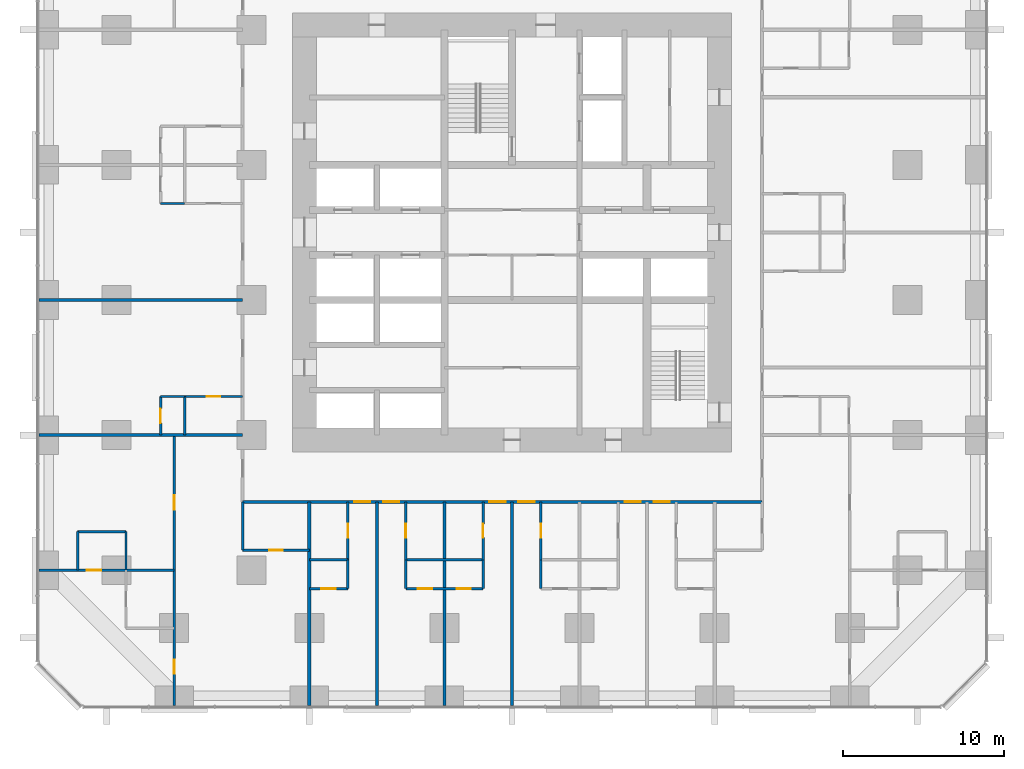
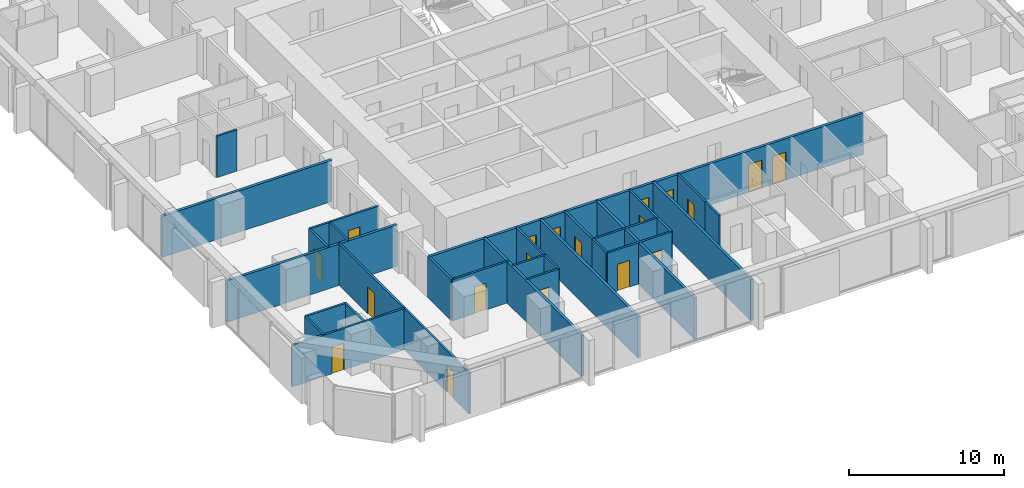
# One storey, part 11 of 17: 31 walls, 19 doors, 19 openings.
"""IFC4 building model written with IfcOpenShell, lengths in metres."""

from ifc_helpers import new_model, si_unit, direction, frame, frame_2d, origin, place, context, subcontext, project, spatial, rectangle, extrude, material, layer, layer_set, type_object, element, fill, save


model = new_model("IFC4")

# Units and contexts
model_context = context("Model", 3, precision=1e-05, world=origin(), true_north=direction((0.0, 1.0)))
body_context = subcontext(model_context, "Body", "Model", "MODEL_VIEW")
ifc_project = project(units=[si_unit("LENGTHUNIT", "METRE"), si_unit("AREAUNIT", "SQUARE_METRE"), si_unit("VOLUMEUNIT", "CUBIC_METRE"), si_unit("PLANEANGLEUNIT", "RADIAN"), si_unit("MASSUNIT", "GRAM", prefix="KILO")], contexts=[model_context])

# Site, building, storey
site_placement = place(None, origin())
site = spatial("IfcSite", under=ifc_project, at=site_placement, CompositionType="ELEMENT")
building_placement = place(site_placement, origin())
building = spatial("IfcBuilding", under=site, at=building_placement, Name="Dunama Terrace Hotel", CompositionType="ELEMENT")
storey_placement = place(building_placement, frame((0.0, 0.0, 77.39990234375)))
storey = spatial("IfcBuildingStorey", under=building, at=storey_placement, Name="L19", CompositionType="ELEMENT", Elevation=77.39990234375)

# Wall
ifc_material_1 = material(Name="Gypsum board partition", Category="masonry")
ifc_layer_1 = layer(ifc_material_1, 0.14990234375)
ifc_layer_set_1 = layer_set([ifc_layer_1], Name="Bathroom partition 150")
wall_type_1 = type_object("IfcWallType", Name="Bathroom partition 150", PredefinedType="PARTITIONING", material=ifc_layer_set_1)
wall_1_placement = place(storey_placement, frame((12.64990234375, 9.64990234375, 0.0), z_axis=(0.0, 0.0, 1.0), x_axis=(0.0, 1.0, 0.0)))
element("IfcWall", 1, at=wall_1_placement, inside=storey, type_object=wall_type_1, Name="Bathroom partition 150 L19", PredefinedType="PARTITIONING", context=body_context, shape_type="SweptSolid", body=[
    extrude(rectangle(XDim=3.0, YDim=0.14990234375, at=frame_2d((1.5, 0.0))), origin(), (0.0, 0.0, 1.0), 3.25),
])

# Wall, opening, door
wall_2_placement = place(storey_placement, frame((19.199951171875, 9.050048828125, 0.0), z_axis=(0.0, 0.0, 1.0), x_axis=(0.0, 1.0, 0.0)))
wall_2 = element("IfcWall", 2, at=wall_2_placement, inside=storey, type_object=wall_type_1, Name="Bathroom partition 150 L19", PredefinedType="PARTITIONING", context=body_context, shape_type="SweptSolid", body=[
    extrude(rectangle(XDim=3.599853515625, YDim=0.14990234375, at=frame_2d((1.7998046875, 0.0))), origin(), (0.0, 0.0, 1.0), 3.25),
])
opening_1_placement = place(wall_2_placement, frame((1.375, 0.0, 0.0)))
opening_1 = element("IfcOpeningElement", 3, at=opening_1_placement, cuts=wall_2, Name="Opening L17-19-010", PredefinedType="OPENING", context=body_context, shape_type="SweptSolid", body=[
    extrude(rectangle(XDim=0.85009765625, YDim=2.10009765625, at=frame_2d((0.425048828125, 1.050048828125))), frame((0.0, 0.0849609375, 0.0), z_axis=(0.0, -1.0, 0.0), x_axis=(1.0, 0.0, 0.0)), (0.0, 0.0, 1.0), 0.169921875),
])
ifc_material_2 = material(Name="Timber door with steel frame", Category="steel")
door_type_1 = type_object("IfcDoorType", Name="Bathroom door 850", OperationType="SINGLE_SWING_LEFT", PredefinedType="DOOR", material=ifc_material_2)
door_1_placement = place(opening_1_placement, origin())
door_1 = element("IfcDoor", 4, at=door_1_placement, inside=storey, type_object=door_type_1, Name="Door to en-suite bathroom L17-19-010, type D2", OperationType="SINGLE_SWING_RIGHT", OverallHeight=2.10009765625, OverallWidth=0.85009765625, PredefinedType="DOOR", context=body_context, shape_type="SweptSolid", body=[
    extrude(rectangle(XDim=0.85009765625, YDim=2.10009765625, at=frame_2d((0.425048828125, 1.050048828125))), frame((0.0, 0.02490234375, 0.0), z_axis=(0.0, -1.0, 0.0), x_axis=(1.0, 0.0, 0.0)), (0.0, 0.0, 1.0), 0.050048828125),
])
fill(opening_1, door_1)

wall_3_placement = place(storey_placement, frame((22.800048828125, 9.050048828125, 0.0), z_axis=(0.0, 0.0, 1.0), x_axis=(0.0, 1.0, 0.0)))
wall_3 = element("IfcWall", 5, at=wall_3_placement, inside=storey, type_object=wall_type_1, Name="Bathroom partition 150 L19", PredefinedType="PARTITIONING", context=body_context, shape_type="SweptSolid", body=[
    extrude(rectangle(XDim=3.599853515625, YDim=0.14990234375, at=frame_2d((1.7998046875, 0.0))), origin(), (0.0, 0.0, 1.0), 3.25),
])
opening_2_placement = place(wall_3_placement, frame((1.375, 0.0, 0.0)))
opening_2 = element("IfcOpeningElement", 6, at=opening_2_placement, cuts=wall_3, Name="Opening L17-19-013", PredefinedType="OPENING", context=body_context, shape_type="SweptSolid", body=[
    extrude(rectangle(XDim=0.85009765625, YDim=2.10009765625, at=frame_2d((0.425048828125, 1.050048828125))), frame((0.0, 0.0849609375, 0.0), z_axis=(0.0, -1.0, 0.0), x_axis=(1.0, 0.0, 0.0)), (0.0, 0.0, 1.0), 0.169921875),
])
door_2_placement = place(opening_2_placement, frame((0.85009765625, 0.0, 0.0), z_axis=(0.0, 0.0, 1.0), x_axis=(-1.0, 0.0, 0.0)))
door_2 = element("IfcDoor", 7, at=door_2_placement, inside=storey, type_object=door_type_1, Name="Door to en-suite bathroom L17-19-013, type D2", OperationType="SINGLE_SWING_LEFT", OverallHeight=2.10009765625, OverallWidth=0.85009765625, PredefinedType="DOOR", context=body_context, shape_type="SweptSolid", body=[
    extrude(rectangle(XDim=0.85009765625, YDim=2.10009765625, at=frame_2d((0.425048828125, 1.050048828125))), frame((0.0, 0.025146484375, 0.0), z_axis=(0.0, -1.0, 0.0), x_axis=(1.0, 0.0, 0.0)), (0.0, 0.0, 1.0), 0.050048828125),
])
fill(opening_2, door_2)

wall_4_placement = place(storey_placement, frame((27.60009765625, 9.050048828125, 0.0), z_axis=(0.0, 0.0, 1.0), x_axis=(0.0, 1.0, 0.0)))
wall_4 = element("IfcWall", 8, at=wall_4_placement, inside=storey, type_object=wall_type_1, Name="Bathroom partition 150 L19", PredefinedType="PARTITIONING", context=body_context, shape_type="SweptSolid", body=[
    extrude(rectangle(XDim=3.599853515625, YDim=0.14990234375, at=frame_2d((1.7998046875, 0.0))), origin(), (0.0, 0.0, 1.0), 3.25),
])
opening_3_placement = place(wall_4_placement, frame((1.375, 0.0, 0.0)))
opening_3 = element("IfcOpeningElement", 9, at=opening_3_placement, cuts=wall_4, Name="Opening L17-19-016", PredefinedType="OPENING", context=body_context, shape_type="SweptSolid", body=[
    extrude(rectangle(XDim=0.85009765625, YDim=2.10009765625, at=frame_2d((0.425048828125, 1.050048828125))), frame((0.0, 0.0849609375, 0.0), z_axis=(0.0, -1.0, 0.0), x_axis=(1.0, 0.0, 0.0)), (0.0, 0.0, 1.0), 0.169921875),
])
door_3_placement = place(opening_3_placement, origin())
door_3 = element("IfcDoor", 10, at=door_3_placement, inside=storey, type_object=door_type_1, Name="Door to en-suite bathroom L17-19-016, type D2", OperationType="SINGLE_SWING_RIGHT", OverallHeight=2.10009765625, OverallWidth=0.85009765625, PredefinedType="DOOR", context=body_context, shape_type="SweptSolid", body=[
    extrude(rectangle(XDim=0.85009765625, YDim=2.10009765625, at=frame_2d((0.425048828125, 1.050048828125))), frame((0.0, 0.02490234375, 0.0), z_axis=(0.0, -1.0, 0.0), x_axis=(1.0, 0.0, 0.0)), (0.0, 0.0, 1.0), 0.050048828125),
])
fill(opening_3, door_3)

wall_5_placement = place(storey_placement, frame((31.199951171875, 9.050048828125, 0.0), z_axis=(0.0, 0.0, 1.0), x_axis=(0.0, 1.0, 0.0)))
wall_5 = element("IfcWall", 11, at=wall_5_placement, inside=storey, type_object=wall_type_1, Name="Bathroom partition 150 L19", PredefinedType="PARTITIONING", context=body_context, shape_type="SweptSolid", body=[
    extrude(rectangle(XDim=3.599853515625, YDim=0.14990234375, at=frame_2d((1.7998046875, 0.0))), origin(), (0.0, 0.0, 1.0), 3.25),
])
opening_4_placement = place(wall_5_placement, frame((1.375, 0.0, 0.0)))
opening_4 = element("IfcOpeningElement", 12, at=opening_4_placement, cuts=wall_5, Name="Opening L17-19-019", PredefinedType="OPENING", context=body_context, shape_type="SweptSolid", body=[
    extrude(rectangle(XDim=0.85009765625, YDim=2.10009765625, at=frame_2d((0.425048828125, 1.050048828125))), frame((0.0, 0.0849609375, 0.0), z_axis=(0.0, -1.0, 0.0), x_axis=(1.0, 0.0, 0.0)), (0.0, 0.0, 1.0), 0.169921875),
])
door_4_placement = place(opening_4_placement, frame((0.85009765625, 0.0, 0.0), z_axis=(0.0, 0.0, 1.0), x_axis=(-1.0, 0.0, 0.0)))
door_4 = element("IfcDoor", 13, at=door_4_placement, inside=storey, type_object=door_type_1, Name="Door to en-suite bathroom L17-19-019, type D2", OperationType="SINGLE_SWING_LEFT", OverallHeight=2.10009765625, OverallWidth=0.85009765625, PredefinedType="DOOR", context=body_context, shape_type="SweptSolid", body=[
    extrude(rectangle(XDim=0.85009765625, YDim=2.10009765625, at=frame_2d((0.425048828125, 1.050048828125))), frame((0.0, 0.025146484375, 0.0), z_axis=(0.0, -1.0, 0.0), x_axis=(1.0, 0.0, 0.0)), (0.0, 0.0, 1.0), 0.050048828125),
])
fill(opening_4, door_4)

wall_6_placement = place(storey_placement, frame((12.64990234375, 9.64990234375, 0.0), z_axis=(0.0, 0.0, 1.0), x_axis=(1.0, 0.0, 0.0)))
wall_6 = element("IfcWall", 14, at=wall_6_placement, inside=storey, type_object=wall_type_1, Name="Bathroom partition 150 L19", PredefinedType="PARTITIONING", context=body_context, shape_type="SweptSolid", body=[
    extrude(rectangle(XDim=4.150146484375, YDim=0.14990234375, at=frame_2d((2.0751953125, 0.0))), origin(), (0.0, 0.0, 1.0), 3.25),
])
opening_5_placement = place(wall_6_placement, frame((1.64990234375, 0.0, 0.0)))
opening_5 = element("IfcOpeningElement", 15, at=opening_5_placement, cuts=wall_6, Name="Opening L17-19-061", PredefinedType="OPENING", context=body_context, shape_type="SweptSolid", body=[
    extrude(rectangle(XDim=0.85009765625, YDim=2.10009765625, at=frame_2d((0.425048828125, 1.050048828125))), frame((0.0, 0.0849609375, 0.0), z_axis=(0.0, -1.0, 0.0), x_axis=(1.0, 0.0, 0.0)), (0.0, 0.0, 1.0), 0.169921875),
])
door_5_placement = place(opening_5_placement, origin())
door_5 = element("IfcDoor", 16, at=door_5_placement, inside=storey, type_object=door_type_1, Name="Door to powder room L17-19-061, type D2", OperationType="SINGLE_SWING_LEFT", OverallHeight=2.10009765625, OverallWidth=0.85009765625, PredefinedType="DOOR", context=body_context, shape_type="SweptSolid", body=[
    extrude(rectangle(XDim=0.85009765625, YDim=2.10009765625, at=frame_2d((0.425048828125, 1.050048828125))), frame((0.0, 0.02490234375, 0.0), z_axis=(0.0, -1.0, 0.0), x_axis=(1.0, 0.0, 0.0)), (0.0, 0.0, 1.0), 0.050048828125),
])
fill(opening_5, door_5)

wall_7_placement = place(storey_placement, frame((9.050048828125, 19.199951171875, 0.0), z_axis=(0.0, 0.0, 1.0), x_axis=(1.0, 0.0, 0.0)))
wall_7 = element("IfcWall", 17, at=wall_7_placement, inside=storey, type_object=wall_type_1, Name="Bathroom partition 150 L19", PredefinedType="PARTITIONING", context=body_context, shape_type="SweptSolid", body=[
    extrude(rectangle(XDim=3.599853515625, YDim=0.14990234375, at=frame_2d((1.7998046875, 0.0))), origin(), (0.0, 0.0, 1.0), 3.25),
])
opening_6_placement = place(wall_7_placement, frame((1.375, 0.0, 0.0)))
opening_6 = element("IfcOpeningElement", 18, at=opening_6_placement, cuts=wall_7, Name="Opening L17-19-052", PredefinedType="OPENING", context=body_context, shape_type="SweptSolid", body=[
    extrude(rectangle(XDim=0.85009765625, YDim=2.10009765625, at=frame_2d((0.425048828125, 1.050048828125))), frame((0.0, 0.0849609375, 0.0), z_axis=(0.0, -1.0, 0.0), x_axis=(1.0, 0.0, 0.0)), (0.0, 0.0, 1.0), 0.169921875),
])
door_6_placement = place(opening_6_placement, frame((0.85009765625, 0.0, 0.0), z_axis=(0.0, 0.0, 1.0), x_axis=(-1.0, 0.0, 0.0)))
door_6 = element("IfcDoor", 19, at=door_6_placement, inside=storey, type_object=door_type_1, Name="Door to en-suite bathroom L17-19-052, type D2", OperationType="SINGLE_SWING_LEFT", OverallHeight=2.10009765625, OverallWidth=0.85009765625, PredefinedType="DOOR", context=body_context, shape_type="SweptSolid", body=[
    extrude(rectangle(XDim=0.85009765625, YDim=2.10009765625, at=frame_2d((0.425048828125, 1.050048828125))), frame((0.0, 0.025146484375, 0.0), z_axis=(0.0, -1.0, 0.0), x_axis=(1.0, 0.0, 0.0)), (0.0, 0.0, 1.0), 0.050048828125),
])
fill(opening_6, door_6)

# Wall, openings, doors
ifc_material_3 = material(Name="Concrete blockwork", Category="masonry")
ifc_layer_2 = layer(ifc_material_3, 0.199951171875)
ifc_layer_set_2 = layer_set([ifc_layer_2], Name="Corridor partition 200")
wall_type_2 = type_object("IfcWallType", Name="Corridor partition 200", PredefinedType="PARTITIONING", material=ifc_layer_set_2)
wall_8_placement = place(storey_placement, frame((44.949951171875, 12.64990234375, 0.0), z_axis=(0.0, 0.0, 1.0), x_axis=(-1.0, 0.0, 0.0)))
wall_8 = element("IfcWall", 20, at=wall_8_placement, inside=storey, type_object=wall_type_2, Name="Corridor partition 200 L19", PredefinedType="PARTITIONING", context=body_context, shape_type="SweptSolid", body=[
    extrude(rectangle(XDim=32.300048828125, YDim=0.199951171875, at=frame_2d((16.14990234375, 0.0))), origin(), (0.0, 0.0, 1.0), 3.25),
])
opening_7_placement = place(wall_8_placement, frame((24.35009765625, 0.0, 0.0)))
opening_7 = element("IfcOpeningElement", 21, at=opening_7_placement, cuts=wall_8, Name="Opening L17-19-009", PredefinedType="OPENING", context=body_context, shape_type="SweptSolid", body=[
    extrude(rectangle(XDim=1.0, YDim=2.199951171875, at=frame_2d((0.5, 1.10009765625))), frame((0.0, 0.10986328125, 0.0), z_axis=(0.0, -1.0, 0.0), x_axis=(1.0, 0.0, 0.0)), (0.0, 0.0, 1.0), 0.219970703125),
])
opening_8_placement = place(wall_8_placement, frame((22.550048828125, 0.0, 0.0)))
opening_8 = element("IfcOpeningElement", 22, at=opening_8_placement, cuts=wall_8, Name="Opening L17-19-012", PredefinedType="OPENING", context=body_context, shape_type="SweptSolid", body=[
    extrude(rectangle(XDim=1.0, YDim=2.199951171875, at=frame_2d((0.5, 1.10009765625))), frame((0.0, 0.10986328125, 0.0), z_axis=(0.0, -1.0, 0.0), x_axis=(1.0, 0.0, 0.0)), (0.0, 0.0, 1.0), 0.219970703125),
])
opening_9_placement = place(wall_8_placement, frame((15.949951171875, 0.0, 0.0)))
opening_9 = element("IfcOpeningElement", 23, at=opening_9_placement, cuts=wall_8, Name="Opening L17-19-015", PredefinedType="OPENING", context=body_context, shape_type="SweptSolid", body=[
    extrude(rectangle(XDim=1.0, YDim=2.199951171875, at=frame_2d((0.5, 1.10009765625))), frame((0.0, 0.10986328125, 0.0), z_axis=(0.0, -1.0, 0.0), x_axis=(1.0, 0.0, 0.0)), (0.0, 0.0, 1.0), 0.219970703125),
])
opening_10_placement = place(wall_8_placement, frame((14.14990234375, 0.0, 0.0)))
opening_10 = element("IfcOpeningElement", 24, at=opening_10_placement, cuts=wall_8, Name="Opening L17-19-018", PredefinedType="OPENING", context=body_context, shape_type="SweptSolid", body=[
    extrude(rectangle(XDim=1.0, YDim=2.199951171875, at=frame_2d((0.5, 1.10009765625))), frame((0.0, 0.10986328125, 0.0), z_axis=(0.0, -1.0, 0.0), x_axis=(1.0, 0.0, 0.0)), (0.0, 0.0, 1.0), 0.219970703125),
])
opening_11_placement = place(wall_8_placement, frame((7.550048828125, 0.0, 0.0)))
opening_11 = element("IfcOpeningElement", 25, at=opening_11_placement, cuts=wall_8, Name="Opening L17-19-021", PredefinedType="OPENING", context=body_context, shape_type="SweptSolid", body=[
    extrude(rectangle(XDim=1.0, YDim=2.199951171875, at=frame_2d((0.5, 1.10009765625))), frame((0.0, 0.10986328125, 0.0), z_axis=(0.0, -1.0, 0.0), x_axis=(1.0, 0.0, 0.0)), (0.0, 0.0, 1.0), 0.219970703125),
])
opening_12_placement = place(wall_8_placement, frame((5.75, 0.0, 0.0)))
opening_12 = element("IfcOpeningElement", 26, at=opening_12_placement, cuts=wall_8, Name="Opening L17-19-024", PredefinedType="OPENING", context=body_context, shape_type="SweptSolid", body=[
    extrude(rectangle(XDim=1.0, YDim=2.199951171875, at=frame_2d((0.5, 1.10009765625))), frame((0.0, 0.10986328125, 0.0), z_axis=(0.0, -1.0, 0.0), x_axis=(1.0, 0.0, 0.0)), (0.0, 0.0, 1.0), 0.219970703125),
])
ifc_material_4 = material(Name="Timber door with steel frame", Category="steel")
door_type_2 = type_object("IfcDoorType", Name="Guest room door 1000", OperationType="SINGLE_SWING_LEFT", PredefinedType="DOOR", material=ifc_material_4)
door_7_placement = place(opening_7_placement, origin())
door_7 = element("IfcDoor", 27, at=door_7_placement, inside=storey, type_object=door_type_2, Name="Door to deluxe room L17-19-009, type D1", OperationType="SINGLE_SWING_LEFT", OverallHeight=2.199951171875, OverallWidth=1.0, PredefinedType="DOOR", context=body_context, shape_type="SweptSolid", body=[
    extrude(rectangle(XDim=1.0, YDim=2.199951171875, at=frame_2d((0.5, 1.10009765625))), frame((0.0, 0.02490234375, 0.0), z_axis=(0.0, -1.0, 0.0), x_axis=(1.0, 0.0, 0.0)), (0.0, 0.0, 1.0), 0.050048828125),
])
fill(opening_7, door_7)
door_8_placement = place(opening_8_placement, origin())
door_8 = element("IfcDoor", 28, at=door_8_placement, inside=storey, type_object=door_type_2, Name="Door to deluxe room L17-19-012, type D1", OperationType="SINGLE_SWING_RIGHT", OverallHeight=2.199951171875, OverallWidth=1.0, PredefinedType="DOOR", context=body_context, shape_type="SweptSolid", body=[
    extrude(rectangle(XDim=1.0, YDim=2.199951171875, at=frame_2d((0.5, 1.10009765625))), frame((0.0, 0.02490234375, 0.0), z_axis=(0.0, -1.0, 0.0), x_axis=(1.0, 0.0, 0.0)), (0.0, 0.0, 1.0), 0.050048828125),
])
fill(opening_8, door_8)
door_9_placement = place(opening_9_placement, origin())
door_9 = element("IfcDoor", 29, at=door_9_placement, inside=storey, type_object=door_type_2, Name="Door to deluxe room L17-19-015, type D1", OperationType="SINGLE_SWING_LEFT", OverallHeight=2.199951171875, OverallWidth=1.0, PredefinedType="DOOR", context=body_context, shape_type="SweptSolid", body=[
    extrude(rectangle(XDim=1.0, YDim=2.199951171875, at=frame_2d((0.5, 1.10009765625))), frame((0.0, 0.02490234375, 0.0), z_axis=(0.0, -1.0, 0.0), x_axis=(1.0, 0.0, 0.0)), (0.0, 0.0, 1.0), 0.050048828125),
])
fill(opening_9, door_9)
door_10_placement = place(opening_10_placement, origin())
door_10 = element("IfcDoor", 30, at=door_10_placement, inside=storey, type_object=door_type_2, Name="Door to deluxe room L17-19-018, type D1", OperationType="SINGLE_SWING_RIGHT", OverallHeight=2.199951171875, OverallWidth=1.0, PredefinedType="DOOR", context=body_context, shape_type="SweptSolid", body=[
    extrude(rectangle(XDim=1.0, YDim=2.199951171875, at=frame_2d((0.5, 1.10009765625))), frame((0.0, 0.02490234375, 0.0), z_axis=(0.0, -1.0, 0.0), x_axis=(1.0, 0.0, 0.0)), (0.0, 0.0, 1.0), 0.050048828125),
])
fill(opening_10, door_10)
door_11_placement = place(opening_11_placement, origin())
door_11 = element("IfcDoor", 31, at=door_11_placement, inside=storey, type_object=door_type_2, Name="Door to deluxe room L17-19-021, type D1", OperationType="SINGLE_SWING_LEFT", OverallHeight=2.199951171875, OverallWidth=1.0, PredefinedType="DOOR", context=body_context, shape_type="SweptSolid", body=[
    extrude(rectangle(XDim=1.0, YDim=2.199951171875, at=frame_2d((0.5, 1.10009765625))), frame((0.0, 0.02490234375, 0.0), z_axis=(0.0, -1.0, 0.0), x_axis=(1.0, 0.0, 0.0)), (0.0, 0.0, 1.0), 0.050048828125),
])
fill(opening_11, door_11)
door_12_placement = place(opening_12_placement, origin())
door_12 = element("IfcDoor", 32, at=door_12_placement, inside=storey, type_object=door_type_2, Name="Door to deluxe room L17-19-024, type D1", OperationType="SINGLE_SWING_RIGHT", OverallHeight=2.199951171875, OverallWidth=1.0, PredefinedType="DOOR", context=body_context, shape_type="SweptSolid", body=[
    extrude(rectangle(XDim=1.0, YDim=2.199951171875, at=frame_2d((0.5, 1.10009765625))), frame((0.0, 0.02490234375, 0.0), z_axis=(0.0, -1.0, 0.0), x_axis=(1.0, 0.0, 0.0)), (0.0, 0.0, 1.0), 0.050048828125),
])
fill(opening_12, door_12)

# Walls
ifc_material_5 = material(Name="Concrete blockwork", Category="masonry")
ifc_layer_3 = layer(ifc_material_5, 0.199951171875)
ifc_layer_set_3 = layer_set([ifc_layer_3], Name="Party wall 200")
wall_type_3 = type_object("IfcWallType", Name="Party wall 200", PredefinedType="PARTITIONING", material=ifc_layer_set_3)
for number, where, z_axis, x_axis, name in (
    (33, (16.800048828125, -0.008056640625, 0.0), (0.0, 0.0, 1.0), (0.0, 1.0, 0.0), "Party wall 200 L19"),
    (34, (21.0, -0.008056640625, 0.0), (0.0, 0.0, 1.0), (0.0, 1.0, 0.0), "Party wall 200 L19"),
    (35, (25.199951171875, -0.008056640625, 0.0), (0.0, 0.0, 1.0), (0.0, 1.0, 0.0), "Party wall 200 L19"),
    (36, (29.39990234375, -0.008056640625, 0.0), (0.0, 0.0, 1.0), (0.0, 1.0, 0.0), "Party wall 200 L19"),
    (37, (-0.008056640625, 16.800048828125, 0.0), (0.0, 0.0, 1.0), (1.0, 0.0, 0.0), "Party wall 200 L19"),
    (38, (-0.008056640625, 25.199951171875, 0.0), (0.0, 0.0, 1.0), (1.0, 0.0, 0.0), "Party wall 200 L19"),
):
    element("IfcWall", number, at=place(storey_placement, frame(where, z_axis=z_axis, x_axis=x_axis)), inside=storey, type_object=wall_type_3, Name=name, PredefinedType="PARTITIONING", context=body_context, shape_type="SweptSolid", body=[
        extrude(rectangle(XDim=12.657958984375, YDim=0.199951171875, at=frame_2d((6.3291015625, 0.0))), origin(), (0.0, 0.0, 1.0), 3.25),
    ])
ifc_material_6 = material(Name="Gypsum board partition", Category="masonry")
ifc_layer_4 = layer(ifc_material_6, 0.14990234375)
ifc_layer_set_4 = layer_set([ifc_layer_4], Name="Room partition 150")
wall_type_4 = type_object("IfcWallType", Name="Room partition 150", PredefinedType="PARTITIONING", material=ifc_layer_set_4)
for number, where, z_axis, x_axis, name in (
    (39, (2.39990234375, 8.39990234375, 0.0), (0.0, 0.0, 1.0), (0.0, 1.0, 0.0), "Room partition 150 L19"),
    (40, (5.39990234375, 8.39990234375, 0.0), (0.0, 0.0, 1.0), (0.0, 1.0, 0.0), "Room partition 150 L19"),
):
    element("IfcWall", number, at=place(storey_placement, frame(where, z_axis=z_axis, x_axis=x_axis)), inside=storey, type_object=wall_type_4, Name=name, PredefinedType="PARTITIONING", context=body_context, shape_type="SweptSolid", body=[
        extrude(rectangle(XDim=2.400146484375, YDim=0.14990234375, at=frame_2d((1.2001953125, 0.0))), origin(), (0.0, 0.0, 1.0), 3.25),
    ])

# Wall, opening, door
wall_9_placement = place(storey_placement, frame((7.550048828125, 16.800048828125, 0.0), z_axis=(0.0, 0.0, 1.0), x_axis=(0.0, 1.0, 0.0)))
wall_9 = element("IfcWall", 41, at=wall_9_placement, inside=storey, type_object=wall_type_4, Name="Room partition 150 L19", PredefinedType="PARTITIONING", context=body_context, shape_type="SweptSolid", body=[
    extrude(rectangle(XDim=2.39990234375, YDim=0.14990234375, at=frame_2d((1.199951171875, 0.0))), origin(), (0.0, 0.0, 1.0), 3.25),
])
opening_13_placement = place(wall_9_placement, frame((0.75, 0.0, 0.0)))
opening_13 = element("IfcOpeningElement", 42, at=opening_13_placement, cuts=wall_9, Name="Opening L17-19-053", PredefinedType="OPENING", context=body_context, shape_type="SweptSolid", body=[
    extrude(rectangle(XDim=0.89990234375, YDim=2.10009765625, at=frame_2d((0.449951171875, 1.050048828125))), frame((0.0, 0.0849609375, 0.0), z_axis=(0.0, -1.0, 0.0), x_axis=(1.0, 0.0, 0.0)), (0.0, 0.0, 1.0), 0.169921875),
])
ifc_material_7 = material(Name="Timber door with steel frame", Category="steel")
door_type_3 = type_object("IfcDoorType", Name="Suite internal door 900", OperationType="SINGLE_SWING_LEFT", PredefinedType="DOOR", material=ifc_material_7)
door_13_placement = place(opening_13_placement, frame((0.89990234375, 0.0, 0.0), z_axis=(0.0, 0.0, 1.0), x_axis=(-1.0, 0.0, 0.0)))
door_13 = element("IfcDoor", 43, at=door_13_placement, inside=storey, type_object=door_type_3, Name="Door to walk-in wardrobe L17-19-053, type D16", OperationType="SINGLE_SWING_RIGHT", OverallHeight=2.10009765625, OverallWidth=0.89990234375, PredefinedType="DOOR", context=body_context, shape_type="SweptSolid", body=[
    extrude(rectangle(XDim=0.89990234375, YDim=2.10009765625, at=frame_2d((0.449951171875, 1.050048828125))), frame((0.0, 0.025146484375, 0.0), z_axis=(0.0, -1.0, 0.0), x_axis=(1.0, 0.0, 0.0)), (0.0, 0.0, 1.0), 0.050048828125),
])
fill(opening_13, door_13)

# Wall, openings, doors
wall_10_placement = place(storey_placement, frame((8.39990234375, -0.008056640625, 0.0), z_axis=(0.0, 0.0, 1.0), x_axis=(0.0, 1.0, 0.0)))
wall_10 = element("IfcWall", 44, at=wall_10_placement, inside=storey, type_object=wall_type_4, Name="Room partition 150 L19", PredefinedType="PARTITIONING", context=body_context, shape_type="SweptSolid", body=[
    extrude(rectangle(XDim=16.80810546875, YDim=0.14990234375, at=frame_2d((8.404052734375, 0.0))), origin(), (0.0, 0.0, 1.0), 3.25),
])
opening_14_placement = place(wall_10_placement, frame((1.9580078125, 0.0, 0.0)))
opening_14 = element("IfcOpeningElement", 45, at=opening_14_placement, cuts=wall_10, Name="Opening L17-19-062", PredefinedType="OPENING", context=body_context, shape_type="SweptSolid", body=[
    extrude(rectangle(XDim=0.89990234375, YDim=2.10009765625, at=frame_2d((0.449951171875, 1.050048828125))), frame((0.0, 0.0849609375, 0.0), z_axis=(0.0, -1.0, 0.0), x_axis=(1.0, 0.0, 0.0)), (0.0, 0.0, 1.0), 0.169921875),
])
opening_15_placement = place(wall_10_placement, frame((12.157958984375, 0.0, 0.0)))
opening_15 = element("IfcOpeningElement", 46, at=opening_15_placement, cuts=wall_10, Name="Opening L17-19-065", PredefinedType="OPENING", context=body_context, shape_type="SweptSolid", body=[
    extrude(rectangle(XDim=0.89990234375, YDim=2.10009765625, at=frame_2d((0.449951171875, 1.050048828125))), frame((0.0, 0.0849609375, 0.0), z_axis=(0.0, -1.0, 0.0), x_axis=(1.0, 0.0, 0.0)), (0.0, 0.0, 1.0), 0.169921875),
])
door_14_placement = place(opening_14_placement, origin())
door_14 = element("IfcDoor", 47, at=door_14_placement, inside=storey, type_object=door_type_3, Name="Door to corner suite bedroom L17-19-062, type D16", OperationType="SINGLE_SWING_LEFT", OverallHeight=2.10009765625, OverallWidth=0.89990234375, PredefinedType="DOOR", context=body_context, shape_type="SweptSolid", body=[
    extrude(rectangle(XDim=0.89990234375, YDim=2.10009765625, at=frame_2d((0.449951171875, 1.050048828125))), frame((0.0, 0.02490234375, 0.0), z_axis=(0.0, -1.0, 0.0), x_axis=(1.0, 0.0, 0.0)), (0.0, 0.0, 1.0), 0.050048828125),
])
fill(opening_14, door_14)
door_15_placement = place(opening_15_placement, origin())
door_15 = element("IfcDoor", 48, at=door_15_placement, inside=storey, type_object=door_type_3, Name="Door to corner suite study L17-19-065, type D16", OperationType="SINGLE_SWING_LEFT", OverallHeight=2.10009765625, OverallWidth=0.89990234375, PredefinedType="DOOR", context=body_context, shape_type="SweptSolid", body=[
    extrude(rectangle(XDim=0.89990234375, YDim=2.10009765625, at=frame_2d((0.449951171875, 1.050048828125))), frame((0.0, 0.02490234375, 0.0), z_axis=(0.0, -1.0, 0.0), x_axis=(1.0, 0.0, 0.0)), (0.0, 0.0, 1.0), 0.050048828125),
])
fill(opening_15, door_15)

# Walls
wall_11_placement = place(storey_placement, frame((9.050048828125, 16.800048828125, 0.0), z_axis=(0.0, 0.0, 1.0), x_axis=(0.0, 1.0, 0.0)))
element("IfcWall", 49, at=wall_11_placement, inside=storey, type_object=wall_type_4, Name="Room partition 150 L19", PredefinedType="PARTITIONING", context=body_context, shape_type="SweptSolid", body=[
    extrude(rectangle(XDim=2.39990234375, YDim=0.14990234375, at=frame_2d((1.199951171875, 0.0))), origin(), (0.0, 0.0, 1.0), 3.25),
])
for number, where, z_axis, x_axis, name in (
    (50, (19.199951171875, 7.25, 0.0), (0.0, 0.0, 1.0), (0.0, 1.0, 0.0), "Room partition 150 L19"),
    (51, (22.800048828125, 7.25, 0.0), (0.0, 0.0, 1.0), (0.0, 1.0, 0.0), "Room partition 150 L19"),
    (52, (27.60009765625, 7.25, 0.0), (0.0, 0.0, 1.0), (0.0, 1.0, 0.0), "Room partition 150 L19"),
    (53, (31.199951171875, 7.25, 0.0), (0.0, 0.0, 1.0), (0.0, 1.0, 0.0), "Room partition 150 L19"),
):
    element("IfcWall", number, at=place(storey_placement, frame(where, z_axis=z_axis, x_axis=x_axis)), inside=storey, type_object=wall_type_4, Name=name, PredefinedType="PARTITIONING", context=body_context, shape_type="SweptSolid", body=[
        extrude(rectangle(XDim=1.800048828125, YDim=0.14990234375, at=frame_2d((0.89990234375, 0.0))), origin(), (0.0, 0.0, 1.0), 3.25),
    ])

# Wall, opening, door
wall_12_placement = place(storey_placement, frame((16.800048828125, 7.25, 0.0), z_axis=(0.0, 0.0, 1.0), x_axis=(1.0, 0.0, 0.0)))
wall_12 = element("IfcWall", 54, at=wall_12_placement, inside=storey, type_object=wall_type_4, Name="Room partition 150 L19", PredefinedType="PARTITIONING", context=body_context, shape_type="SweptSolid", body=[
    extrude(rectangle(XDim=2.39990234375, YDim=0.14990234375, at=frame_2d((1.199951171875, 0.0))), origin(), (0.0, 0.0, 1.0), 3.25),
])
opening_16_placement = place(wall_12_placement, frame((0.75, 0.0, 0.0)))
opening_16 = element("IfcOpeningElement", 55, at=opening_16_placement, cuts=wall_12, Name="Opening L17-19-011", PredefinedType="OPENING", context=body_context, shape_type="SweptSolid", body=[
    extrude(rectangle(XDim=0.89990234375, YDim=2.10009765625, at=frame_2d((0.449951171875, 1.050048828125))), frame((0.0, 0.0849609375, 0.0), z_axis=(0.0, -1.0, 0.0), x_axis=(1.0, 0.0, 0.0)), (0.0, 0.0, 1.0), 0.169921875),
])
door_16_placement = place(opening_16_placement, origin())
door_16 = element("IfcDoor", 56, at=door_16_placement, inside=storey, type_object=door_type_3, Name="Door to walk-in wardrobe L17-19-011, type D16", OperationType="SINGLE_SWING_LEFT", OverallHeight=2.10009765625, OverallWidth=0.89990234375, PredefinedType="DOOR", context=body_context, shape_type="SweptSolid", body=[
    extrude(rectangle(XDim=0.89990234375, YDim=2.10009765625, at=frame_2d((0.449951171875, 1.050048828125))), frame((0.0, 0.02490234375, 0.0), z_axis=(0.0, -1.0, 0.0), x_axis=(1.0, 0.0, 0.0)), (0.0, 0.0, 1.0), 0.050048828125),
])
fill(opening_16, door_16)

# Wall, openings, doors
wall_13_placement = place(storey_placement, frame((22.800048828125, 7.25, 0.0), z_axis=(0.0, 0.0, 1.0), x_axis=(1.0, 0.0, 0.0)))
wall_13 = element("IfcWall", 57, at=wall_13_placement, inside=storey, type_object=wall_type_4, Name="Room partition 150 L19", PredefinedType="PARTITIONING", context=body_context, shape_type="SweptSolid", body=[
    extrude(rectangle(XDim=4.800048828125, YDim=0.14990234375, at=frame_2d((2.39990234375, 0.0))), origin(), (0.0, 0.0, 1.0), 3.25),
])
opening_17_placement = place(wall_13_placement, frame((0.75, 0.0, 0.0)))
opening_17 = element("IfcOpeningElement", 58, at=opening_17_placement, cuts=wall_13, Name="Opening L17-19-014", PredefinedType="OPENING", context=body_context, shape_type="SweptSolid", body=[
    extrude(rectangle(XDim=0.89990234375, YDim=2.10009765625, at=frame_2d((0.449951171875, 1.050048828125))), frame((0.0, 0.0849609375, 0.0), z_axis=(0.0, -1.0, 0.0), x_axis=(1.0, 0.0, 0.0)), (0.0, 0.0, 1.0), 0.169921875),
])
opening_18_placement = place(wall_13_placement, frame((3.14990234375, 0.0, 0.0)))
opening_18 = element("IfcOpeningElement", 59, at=opening_18_placement, cuts=wall_13, Name="Opening L17-19-017", PredefinedType="OPENING", context=body_context, shape_type="SweptSolid", body=[
    extrude(rectangle(XDim=0.89990234375, YDim=2.10009765625, at=frame_2d((0.449951171875, 1.050048828125))), frame((0.0, 0.0849609375, 0.0), z_axis=(0.0, -1.0, 0.0), x_axis=(1.0, 0.0, 0.0)), (0.0, 0.0, 1.0), 0.169921875),
])
door_17_placement = place(opening_17_placement, origin())
door_17 = element("IfcDoor", 60, at=door_17_placement, inside=storey, type_object=door_type_3, Name="Door to walk-in wardrobe L17-19-014, type D16", OperationType="SINGLE_SWING_RIGHT", OverallHeight=2.10009765625, OverallWidth=0.89990234375, PredefinedType="DOOR", context=body_context, shape_type="SweptSolid", body=[
    extrude(rectangle(XDim=0.89990234375, YDim=2.10009765625, at=frame_2d((0.449951171875, 1.050048828125))), frame((0.0, 0.02490234375, 0.0), z_axis=(0.0, -1.0, 0.0), x_axis=(1.0, 0.0, 0.0)), (0.0, 0.0, 1.0), 0.050048828125),
])
fill(opening_17, door_17)
door_18_placement = place(opening_18_placement, origin())
door_18 = element("IfcDoor", 61, at=door_18_placement, inside=storey, type_object=door_type_3, Name="Door to walk-in wardrobe L17-19-017, type D16", OperationType="SINGLE_SWING_LEFT", OverallHeight=2.10009765625, OverallWidth=0.89990234375, PredefinedType="DOOR", context=body_context, shape_type="SweptSolid", body=[
    extrude(rectangle(XDim=0.89990234375, YDim=2.10009765625, at=frame_2d((0.449951171875, 1.050048828125))), frame((0.0, 0.02490234375, 0.0), z_axis=(0.0, -1.0, 0.0), x_axis=(1.0, 0.0, 0.0)), (0.0, 0.0, 1.0), 0.050048828125),
])
fill(opening_18, door_18)

# Wall, opening, door
wall_14_placement = place(storey_placement, frame((-0.008056640625, 8.39990234375, 0.0), z_axis=(0.0, 0.0, 1.0), x_axis=(1.0, 0.0, 0.0)))
wall_14 = element("IfcWall", 62, at=wall_14_placement, inside=storey, type_object=wall_type_4, Name="Room partition 150 L19", PredefinedType="PARTITIONING", context=body_context, shape_type="SweptSolid", body=[
    extrude(rectangle(XDim=8.407958984375, YDim=0.14990234375, at=frame_2d((4.2041015625, 0.0))), origin(), (0.0, 0.0, 1.0), 3.25),
])
opening_19_placement = place(wall_14_placement, frame((2.9580078125, 0.0, 0.0)))
opening_19 = element("IfcOpeningElement", 63, at=opening_19_placement, cuts=wall_14, Name="Opening L17-19-064", PredefinedType="OPENING", context=body_context, shape_type="SweptSolid", body=[
    extrude(rectangle(XDim=0.89990234375, YDim=2.10009765625, at=frame_2d((0.449951171875, 1.050048828125))), frame((0.0, 0.0849609375, 0.0), z_axis=(0.0, -1.0, 0.0), x_axis=(1.0, 0.0, 0.0)), (0.0, 0.0, 1.0), 0.169921875),
])
door_19_placement = place(opening_19_placement, origin())
door_19 = element("IfcDoor", 64, at=door_19_placement, inside=storey, type_object=door_type_3, Name="Door to dressing room L17-19-064, type D16", OperationType="SINGLE_SWING_RIGHT", OverallHeight=2.10009765625, OverallWidth=0.89990234375, PredefinedType="DOOR", context=body_context, shape_type="SweptSolid", body=[
    extrude(rectangle(XDim=0.89990234375, YDim=2.10009765625, at=frame_2d((0.449951171875, 1.050048828125))), frame((0.0, 0.02490234375, 0.0), z_axis=(0.0, -1.0, 0.0), x_axis=(1.0, 0.0, 0.0)), (0.0, 0.0, 1.0), 0.050048828125),
])
fill(opening_19, door_19)

# Walls
wall_15_placement = place(storey_placement, frame((16.800048828125, 9.050048828125, 0.0), z_axis=(0.0, 0.0, 1.0), x_axis=(1.0, 0.0, 0.0)))
element("IfcWall", 65, at=wall_15_placement, inside=storey, type_object=wall_type_4, Name="Room partition 150 L19", PredefinedType="PARTITIONING", context=body_context, shape_type="SweptSolid", body=[
    extrude(rectangle(XDim=2.39990234375, YDim=0.14990234375, at=frame_2d((1.199951171875, 0.0))), origin(), (0.0, 0.0, 1.0), 3.25),
])
wall_16_placement = place(storey_placement, frame((22.800048828125, 9.050048828125, 0.0), z_axis=(0.0, 0.0, 1.0), x_axis=(1.0, 0.0, 0.0)))
element("IfcWall", 66, at=wall_16_placement, inside=storey, type_object=wall_type_4, Name="Room partition 150 L19", PredefinedType="PARTITIONING", context=body_context, shape_type="SweptSolid", body=[
    extrude(rectangle(XDim=4.800048828125, YDim=0.14990234375, at=frame_2d((2.39990234375, 0.0))), origin(), (0.0, 0.0, 1.0), 3.25),
])
wall_17_placement = place(storey_placement, frame((2.39990234375, 10.800048828125, 0.0), z_axis=(0.0, 0.0, 1.0), x_axis=(1.0, 0.0, 0.0)))
element("IfcWall", 67, at=wall_17_placement, inside=storey, type_object=wall_type_4, Name="Room partition 150 L19", PredefinedType="PARTITIONING", context=body_context, shape_type="SweptSolid", body=[
    extrude(rectangle(XDim=3.0, YDim=0.14990234375, at=frame_2d((1.5, 0.0))), origin(), (0.0, 0.0, 1.0), 3.25),
])
for number, where, z_axis, x_axis, name in (
    (68, (7.550048828125, 19.199951171875, 0.0), (0.0, 0.0, 1.0), (1.0, 0.0, 0.0), "Room partition 150 L19"),
    (69, (7.550048828125, 31.199951171875, 0.0), (0.0, 0.0, 1.0), (1.0, 0.0, 0.0), "Room partition 150 L19"),
):
    element("IfcWall", number, at=place(storey_placement, frame(where, z_axis=z_axis, x_axis=x_axis)), inside=storey, type_object=wall_type_4, Name=name, PredefinedType="PARTITIONING", context=body_context, shape_type="SweptSolid", body=[
        extrude(rectangle(XDim=1.5, YDim=0.14990234375, at=frame_2d((0.75, 0.0))), origin(), (0.0, 0.0, 1.0), 3.25),
    ])

save(model, "model.ifc")
